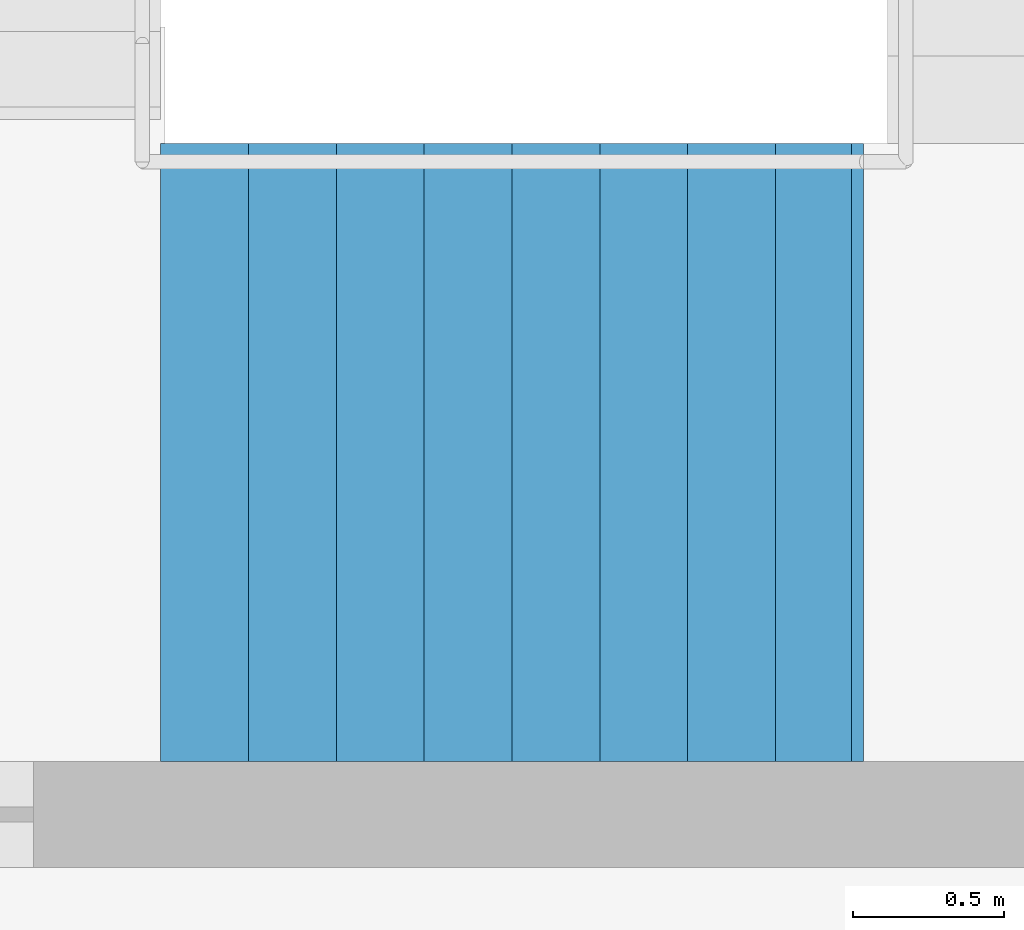
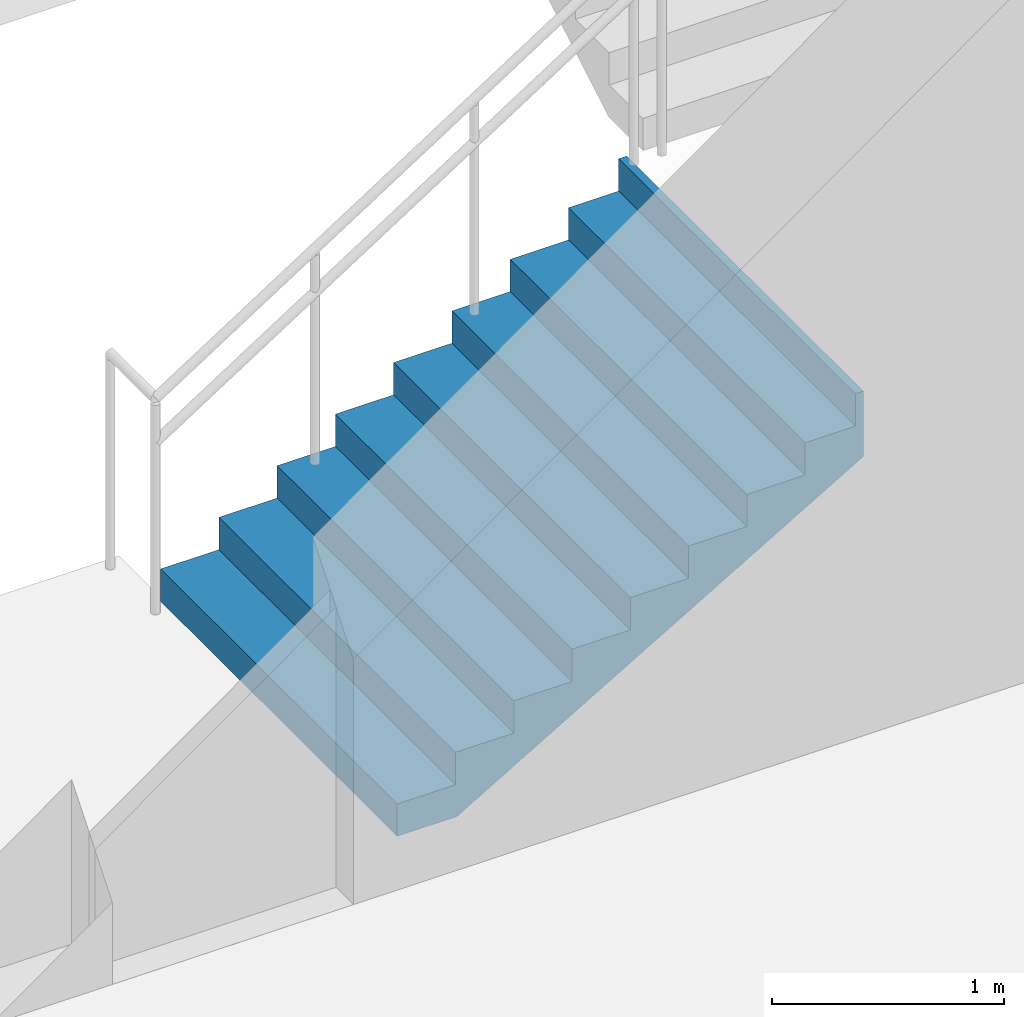
# One storey, part 32 of 46: 1 stair flight, 1 element without a shape of its own.
"""IFC4 building model written with IfcOpenShell, lengths in metres."""

from ifc_helpers import new_model, si_unit, direction, frame, origin, place, context, subcontext, project, spatial, triangles, material, type_object, element, aggregate, save


model = new_model("IFC4")

# Units and contexts
model_context = context("Model", 3, precision=1e-05, world=origin(), true_north=direction((0.0, 1.0)))
body_context = subcontext(model_context, "Body", "Model", "MODEL_VIEW")
ifc_project = project(units=[si_unit("LENGTHUNIT", "METRE"), si_unit("AREAUNIT", "SQUARE_METRE"), si_unit("VOLUMEUNIT", "CUBIC_METRE"), si_unit("PLANEANGLEUNIT", "RADIAN"), si_unit("MASSUNIT", "GRAM", prefix="KILO")], contexts=[model_context])

# Site, building, storey
site_placement = place(None, origin())
site = spatial("IfcSite", under=ifc_project, at=site_placement, CompositionType="ELEMENT")
building_placement = place(site_placement, origin())
building = spatial("IfcBuilding", under=site, at=building_placement, Name="Sillaruma Civic Art Gallery", CompositionType="ELEMENT")
storey_placement = place(building_placement, frame((0.0, 0.0, 16.320068359375)))
storey = spatial("IfcBuildingStorey", under=building, at=storey_placement, Name="L03", CompositionType="ELEMENT", Elevation=16.320068359375)

# Stair, stair flight
ifc_material = material(Name="Concrete H35 (35 MPa)", Category="concrete")
stair_type = type_object("IfcStairType", Name="STR-4F-36", PredefinedType="USERDEFINED", material=ifc_material)
stair_placement = place(storey_placement, origin())
stair = element("IfcStair", 1, at=stair_placement, inside=storey, type_object=stair_type, Name="Protected Exit Stair ST-03 (West Bar South) (L03)", ObjectType="THREE_RETURN_STAIR", PredefinedType="USERDEFINED")
stair_flight_type = type_object("IfcStairFlightType", Name="SFL-STR-9", PredefinedType="STRAIGHT", material=ifc_material)
stair_flight_placement = place(storey_placement, frame((64.800048828125, 32.429931640625, 0.0), z_axis=(0.0, 0.0, 1.0), x_axis=(1.0, 0.0, 0.0)))
stair_flight = element("IfcStairFlight", 2, at=stair_flight_placement, type_object=stair_flight_type, Name="ST-03 flight 1", NumberOfRisers=9, NumberOfTreads=8, PredefinedType="STRAIGHT", RiserHeight=0.17, TreadLength=0.29, context=body_context, shape_type="Tessellation", body=[
    triangles([(0.0, -1.02001953125, 0.0), (0.29, -1.02001953125, 0.0), (0.296482, -1.02001953125, 0.0), (0.58, -1.02001953125, 0.1662), (0.87, -1.02001953125, 0.3362), (1.16, -1.02001953125, 0.5062), (1.45, -1.02001953125, 0.6762), (1.74, -1.02001953125, 0.8462), (2.03, -1.02001953125, 1.0162), (2.280068, -1.02001953125, 1.162792), (2.320068, -1.02001953125, 1.18624), (2.320068, -1.02001953125, 1.53), (2.280068, -1.02001953125, 1.53), (2.280068, -1.02001953125, 1.36), (2.03, -1.02001953125, 1.36), (2.03, -1.02001953125, 1.19), (1.74, -1.02001953125, 1.19), (1.74, -1.02001953125, 1.02), (1.45, -1.02001953125, 1.02), (1.45, -1.02001953125, 0.85), (1.16, -1.02001953125, 0.85), (1.16, -1.02001953125, 0.68), (0.87, -1.02001953125, 0.68), (0.87, -1.02001953125, 0.51), (0.58, -1.02001953125, 0.51), (0.58, -1.02001953125, 0.34), (0.296482, -1.02001953125, 0.34), (0.29, -1.02001953125, 0.34), (0.29, -1.02001953125, 0.17), (0.0, -1.02001953125, 0.17), (0.0, -0.05, 0.0), (0.29, -0.05, 0.0), (0.296482, -0.05, 0.0), (0.58, -0.05, 0.1662), (0.87, -0.05, 0.3362), (1.16, -0.05, 0.5062), (1.45, -0.05, 0.6762), (1.74, -0.05, 0.8462), (2.03, -0.05, 1.0162), (2.280068, -0.05, 1.162792), (2.320068, -0.05, 1.18624), (2.320068, -0.05, 1.53), (2.280068, -0.05, 1.53), (2.280068, -0.05, 1.36), (2.03, -0.05, 1.36), (2.03, -0.05, 1.19), (1.74, -0.05, 1.19), (1.74, -0.05, 1.02), (1.45, -0.05, 1.02), (1.45, -0.05, 0.85), (1.16, -0.05, 0.85), (1.16, -0.05, 0.68), (0.87, -0.05, 0.68), (0.87, -0.05, 0.51), (0.58, -0.05, 0.51), (0.58, -0.05, 0.34), (0.296482, -0.05, 0.34), (0.29, -0.05, 0.34), (0.29, -0.05, 0.17), (0.0, -0.05, 0.17), (0.0, -0.0375, 0.0), (0.29, -0.0375, 0.0), (0.296482, -0.0375, 0.0), (0.58, -0.0375, 0.1662), (0.87, -0.0375, 0.3362), (1.16, -0.0375, 0.5062), (1.45, -0.0375, 0.6762), (1.74, -0.0375, 0.8462), (2.03, -0.0375, 1.0162), (2.280068, -0.0375, 1.162792), (2.320068, -0.0375, 1.18624), (2.320068, -0.0375, 1.53), (2.280068, -0.0375, 1.53), (2.280068, -0.0375, 1.36), (2.03, -0.0375, 1.36), (2.03, -0.0375, 1.19), (1.74, -0.0375, 1.19), (1.74, -0.0375, 1.02), (1.45, -0.0375, 1.02), (1.45, -0.0375, 0.85), (1.16, -0.0375, 0.85), (1.16, -0.0375, 0.68), (0.87, -0.0375, 0.68), (0.87, -0.0375, 0.51), (0.58, -0.0375, 0.51), (0.58, -0.0375, 0.34), (0.296482, -0.0375, 0.34), (0.29, -0.0375, 0.34), (0.29, -0.0375, 0.17), (0.0, -0.0375, 0.17), (0.0, -0.025, 0.0), (0.29, -0.025, 0.0), (0.296482, -0.025, 0.0), (0.58, -0.025, 0.1662), (0.87, -0.025, 0.3362), (1.16, -0.025, 0.5062), (1.45, -0.025, 0.6762), (1.74, -0.025, 0.8462), (2.03, -0.025, 1.0162), (2.280068, -0.025, 1.162792), (2.320068, -0.025, 1.18624), (2.320068, -0.025, 1.53), (2.280068, -0.025, 1.53), (2.280068, -0.025, 1.36), (2.03, -0.025, 1.36), (2.03, -0.025, 1.19), (1.74, -0.025, 1.19), (1.74, -0.025, 1.02), (1.45, -0.025, 1.02), (1.45, -0.025, 0.85), (1.16, -0.025, 0.85), (1.16, -0.025, 0.68), (0.87, -0.025, 0.68), (0.87, -0.025, 0.51), (0.58, -0.025, 0.51), (0.58, -0.025, 0.34), (0.296482, -0.025, 0.34), (0.29, -0.025, 0.34), (0.29, -0.025, 0.17), (0.0, -0.025, 0.17), (0.0, -0.0125, 0.0), (0.29, -0.0125, 0.0), (0.296482, -0.0125, 0.0), (0.58, -0.0125, 0.1662), (0.87, -0.0125, 0.3362), (1.16, -0.0125, 0.5062), (1.45, -0.0125, 0.6762), (1.74, -0.0125, 0.8462), (2.03, -0.0125, 1.0162), (2.280068, -0.0125, 1.162792), (2.320068, -0.0125, 1.18624), (2.320068, -0.0125, 1.53), (2.280068, -0.0125, 1.53), (2.280068, -0.0125, 1.36), (2.03, -0.0125, 1.36), (2.03, -0.0125, 1.19), (1.74, -0.0125, 1.19), (1.74, -0.0125, 1.02), (1.45, -0.0125, 1.02), (1.45, -0.0125, 0.85), (1.16, -0.0125, 0.85), (1.16, -0.0125, 0.68), (0.87, -0.0125, 0.68), (0.87, -0.0125, 0.51), (0.58, -0.0125, 0.51), (0.58, -0.0125, 0.34), (0.296482, -0.0125, 0.34), (0.29, -0.0125, 0.34), (0.29, -0.0125, 0.17), (0.0, -0.0125, 0.17), (0.0, 0.0, 0.0), (0.29, 0.0, 0.0), (0.296482, 0.0, 0.0), (0.58, 0.0, 0.1662), (0.87, 0.0, 0.3362), (1.16, 0.0, 0.5062), (1.45, 0.0, 0.6762), (1.74, 0.0, 0.8462), (2.03, 0.0, 1.0162), (2.280068, 0.0, 1.162792), (2.320068, 0.0, 1.18624), (2.320068, 0.0, 1.53), (2.280068, 0.0, 1.53), (2.280068, 0.0, 1.36), (2.03, 0.0, 1.36), (2.03, 0.0, 1.19), (1.74, 0.0, 1.19), (1.74, 0.0, 1.02), (1.45, 0.0, 1.02), (1.45, 0.0, 0.85), (1.16, 0.0, 0.85), (1.16, 0.0, 0.68), (0.87, 0.0, 0.68), (0.87, 0.0, 0.51), (0.58, 0.0, 0.51), (0.58, 0.0, 0.34), (0.296482, 0.0, 0.34), (0.29, 0.0, 0.34), (0.29, 0.0, 0.17), (0.0, 0.0, 0.17), (0.0, 0.0125, 0.0), (0.29, 0.0125, 0.0), (0.296482, 0.0125, 0.0), (0.58, 0.0125, 0.1662), (0.87, 0.0125, 0.3362), (1.16, 0.0125, 0.5062), (1.45, 0.0125, 0.6762), (1.74, 0.0125, 0.8462), (2.03, 0.0125, 1.0162), (2.280068, 0.0125, 1.162792), (2.320068, 0.0125, 1.18624), (2.320068, 0.0125, 1.53), (2.280068, 0.0125, 1.53), (2.280068, 0.0125, 1.36), (2.03, 0.0125, 1.36), (2.03, 0.0125, 1.19), (1.74, 0.0125, 1.19), (1.74, 0.0125, 1.02), (1.45, 0.0125, 1.02), (1.45, 0.0125, 0.85), (1.16, 0.0125, 0.85), (1.16, 0.0125, 0.68), (0.87, 0.0125, 0.68), (0.87, 0.0125, 0.51), (0.58, 0.0125, 0.51), (0.58, 0.0125, 0.34), (0.296482, 0.0125, 0.34), (0.29, 0.0125, 0.34), (0.29, 0.0125, 0.17), (0.0, 0.0125, 0.17), (0.0, 0.025, 0.0), (0.29, 0.025, 0.0), (0.296482, 0.025, 0.0), (0.58, 0.025, 0.1662), (0.87, 0.025, 0.3362), (1.16, 0.025, 0.5062), (1.45, 0.025, 0.6762), (1.74, 0.025, 0.8462), (2.03, 0.025, 1.0162), (2.280068, 0.025, 1.162792), (2.320068, 0.025, 1.18624), (2.320068, 0.025, 1.53), (2.280068, 0.025, 1.53), (2.280068, 0.025, 1.36), (2.03, 0.025, 1.36), (2.03, 0.025, 1.19), (1.74, 0.025, 1.19), (1.74, 0.025, 1.02), (1.45, 0.025, 1.02), (1.45, 0.025, 0.85), (1.16, 0.025, 0.85), (1.16, 0.025, 0.68), (0.87, 0.025, 0.68), (0.87, 0.025, 0.51), (0.58, 0.025, 0.51), (0.58, 0.025, 0.34), (0.296482, 0.025, 0.34), (0.29, 0.025, 0.34), (0.29, 0.025, 0.17), (0.0, 0.025, 0.17), (0.0, 0.0375, 0.0), (0.29, 0.0375, 0.0), (0.296482, 0.0375, 0.0), (0.58, 0.0375, 0.1662), (0.87, 0.0375, 0.3362), (1.16, 0.0375, 0.5062), (1.45, 0.0375, 0.6762), (1.74, 0.0375, 0.8462), (2.03, 0.0375, 1.0162), (2.280068, 0.0375, 1.162792), (2.320068, 0.0375, 1.18624), (2.320068, 0.0375, 1.53), (2.280068, 0.0375, 1.53), (2.280068, 0.0375, 1.36), (2.03, 0.0375, 1.36), (2.03, 0.0375, 1.19), (1.74, 0.0375, 1.19), (1.74, 0.0375, 1.02), (1.45, 0.0375, 1.02), (1.45, 0.0375, 0.85), (1.16, 0.0375, 0.85), (1.16, 0.0375, 0.68), (0.87, 0.0375, 0.68), (0.87, 0.0375, 0.51), (0.58, 0.0375, 0.51), (0.58, 0.0375, 0.34), (0.296482, 0.0375, 0.34), (0.29, 0.0375, 0.34), (0.29, 0.0375, 0.17), (0.0, 0.0375, 0.17), (0.0, 0.05, 0.0), (0.29, 0.05, 0.0), (0.296482, 0.05, 0.0), (0.58, 0.05, 0.1662), (0.87, 0.05, 0.3362), (1.16, 0.05, 0.5062), (1.45, 0.05, 0.6762), (1.74, 0.05, 0.8462), (2.03, 0.05, 1.0162), (2.280068, 0.05, 1.162792), (2.320068, 0.05, 1.18624), (2.320068, 0.05, 1.53), (2.280068, 0.05, 1.53), (2.280068, 0.05, 1.36), (2.03, 0.05, 1.36), (2.03, 0.05, 1.19), (1.74, 0.05, 1.19), (1.74, 0.05, 1.02), (1.45, 0.05, 1.02), (1.45, 0.05, 0.85), (1.16, 0.05, 0.85), (1.16, 0.05, 0.68), (0.87, 0.05, 0.68), (0.87, 0.05, 0.51), (0.58, 0.05, 0.51), (0.58, 0.05, 0.34), (0.296482, 0.05, 0.34), (0.29, 0.05, 0.34), (0.29, 0.05, 0.17), (0.0, 0.05, 0.17), (0.0, 1.02001953125, 0.0), (0.29, 1.02001953125, 0.0), (0.296482, 1.02001953125, 0.0), (0.58, 1.02001953125, 0.1662), (0.87, 1.02001953125, 0.3362), (1.16, 1.02001953125, 0.5062), (1.45, 1.02001953125, 0.6762), (1.74, 1.02001953125, 0.8462), (2.03, 1.02001953125, 1.0162), (2.280068, 1.02001953125, 1.162792), (2.320068, 1.02001953125, 1.18624), (2.320068, 1.02001953125, 1.53), (2.280068, 1.02001953125, 1.53), (2.280068, 1.02001953125, 1.36), (2.03, 1.02001953125, 1.36), (2.03, 1.02001953125, 1.19), (1.74, 1.02001953125, 1.19), (1.74, 1.02001953125, 1.02), (1.45, 1.02001953125, 1.02), (1.45, 1.02001953125, 0.85), (1.16, 1.02001953125, 0.85), (1.16, 1.02001953125, 0.68), (0.87, 1.02001953125, 0.68), (0.87, 1.02001953125, 0.51), (0.58, 1.02001953125, 0.51), (0.58, 1.02001953125, 0.34), (0.296482, 1.02001953125, 0.34), (0.29, 1.02001953125, 0.34), (0.29, 1.02001953125, 0.17), (0.0, 1.02001953125, 0.17)], [[1, 2, 29], [1, 29, 30], [2, 3, 27], [2, 27, 29], [29, 27, 28], [3, 4, 26], [3, 26, 27], [4, 5, 24], [4, 24, 26], [26, 24, 25], [5, 6, 22], [5, 22, 24], [24, 22, 23], [6, 7, 20], [6, 20, 22], [22, 20, 21], [7, 8, 18], [7, 18, 20], [20, 18, 19], [8, 9, 16], [8, 16, 18], [18, 16, 17], [9, 10, 14], [9, 14, 16], [16, 14, 15], [10, 11, 12], [10, 12, 14], [14, 12, 13], [329, 302, 301], [330, 329, 301], [327, 303, 302], [329, 327, 302], [328, 327, 329], [326, 304, 303], [327, 326, 303], [324, 305, 304], [326, 324, 304], [325, 324, 326], [322, 306, 305], [324, 322, 305], [323, 322, 324], [320, 307, 306], [322, 320, 306], [321, 320, 322], [318, 308, 307], [320, 318, 307], [319, 318, 320], [316, 309, 308], [318, 316, 308], [317, 316, 318], [314, 310, 309], [316, 314, 309], [315, 314, 316], [312, 311, 310], [314, 312, 310], [313, 312, 314], [2, 1, 31], [2, 31, 32], [3, 2, 32], [3, 32, 33], [4, 3, 33], [4, 33, 34], [5, 4, 34], [5, 34, 35], [6, 5, 35], [6, 35, 36], [7, 6, 36], [7, 36, 37], [8, 7, 37], [8, 37, 38], [9, 8, 38], [9, 38, 39], [10, 9, 39], [10, 39, 40], [11, 10, 40], [11, 40, 41], [12, 11, 41], [12, 41, 42], [13, 12, 42], [13, 42, 43], [14, 13, 43], [14, 43, 44], [15, 14, 44], [15, 44, 45], [16, 15, 45], [16, 45, 46], [17, 16, 46], [17, 46, 47], [18, 17, 47], [18, 47, 48], [19, 18, 48], [19, 48, 49], [20, 19, 49], [20, 49, 50], [21, 20, 50], [21, 50, 51], [22, 21, 51], [22, 51, 52], [23, 22, 52], [23, 52, 53], [24, 23, 53], [24, 53, 54], [25, 24, 54], [25, 54, 55], [26, 25, 55], [26, 55, 56], [27, 26, 56], [27, 56, 57], [28, 27, 57], [28, 57, 58], [29, 28, 58], [29, 58, 59], [30, 29, 59], [30, 59, 60], [1, 30, 60], [1, 60, 31], [32, 31, 61], [32, 61, 62], [33, 32, 62], [33, 62, 63], [34, 33, 63], [34, 63, 64], [35, 34, 64], [35, 64, 65], [36, 35, 65], [36, 65, 66], [37, 36, 66], [37, 66, 67], [38, 37, 67], [38, 67, 68], [39, 38, 68], [39, 68, 69], [40, 39, 69], [40, 69, 70], [41, 40, 70], [41, 70, 71], [42, 41, 71], [42, 71, 72], [43, 42, 72], [43, 72, 73], [44, 43, 73], [44, 73, 74], [45, 44, 74], [45, 74, 75], [46, 45, 75], [46, 75, 76], [47, 46, 76], [47, 76, 77], [48, 47, 77], [48, 77, 78], [49, 48, 78], [49, 78, 79], [50, 49, 79], [50, 79, 80], [51, 50, 80], [51, 80, 81], [52, 51, 81], [52, 81, 82], [53, 52, 82], [53, 82, 83], [54, 53, 83], [54, 83, 84], [55, 54, 84], [55, 84, 85], [56, 55, 85], [56, 85, 86], [57, 56, 86], [57, 86, 87], [58, 57, 87], [58, 87, 88], [59, 58, 88], [59, 88, 89], [60, 59, 89], [60, 89, 90], [31, 60, 90], [31, 90, 61], [62, 61, 91], [62, 91, 92], [63, 62, 92], [63, 92, 93], [64, 63, 93], [64, 93, 94], [65, 64, 94], [65, 94, 95], [66, 65, 95], [66, 95, 96], [67, 66, 96], [67, 96, 97], [68, 67, 97], [68, 97, 98], [69, 68, 98], [69, 98, 99], [70, 69, 99], [70, 99, 100], [71, 70, 100], [71, 100, 101], [72, 71, 101], [72, 101, 102], [73, 72, 102], [73, 102, 103], [74, 73, 103], [74, 103, 104], [75, 74, 104], [75, 104, 105], [76, 75, 105], [76, 105, 106], [77, 76, 106], [77, 106, 107], [78, 77, 107], [78, 107, 108], [79, 78, 108], [79, 108, 109], [80, 79, 109], [80, 109, 110], [81, 80, 110], [81, 110, 111], [82, 81, 111], [82, 111, 112], [83, 82, 112], [83, 112, 113], [84, 83, 113], [84, 113, 114], [85, 84, 114], [85, 114, 115], [86, 85, 115], [86, 115, 116], [87, 86, 116], [87, 116, 117], [88, 87, 117], [88, 117, 118], [89, 88, 118], [89, 118, 119], [90, 89, 119], [90, 119, 120], [61, 90, 120], [61, 120, 91], [92, 91, 121], [92, 121, 122], [93, 92, 122], [93, 122, 123], [94, 93, 123], [94, 123, 124], [95, 94, 124], [95, 124, 125], [96, 95, 125], [96, 125, 126], [97, 96, 126], [97, 126, 127], [98, 97, 127], [98, 127, 128], [99, 98, 128], [99, 128, 129], [100, 99, 129], [100, 129, 130], [101, 100, 130], [101, 130, 131], [102, 101, 131], [102, 131, 132], [103, 102, 132], [103, 132, 133], [104, 103, 133], [104, 133, 134], [105, 104, 134], [105, 134, 135], [106, 105, 135], [106, 135, 136], [107, 106, 136], [107, 136, 137], [108, 107, 137], [108, 137, 138], [109, 108, 138], [109, 138, 139], [110, 109, 139], [110, 139, 140], [111, 110, 140], [111, 140, 141], [112, 111, 141], [112, 141, 142], [113, 112, 142], [113, 142, 143], [114, 113, 143], [114, 143, 144], [115, 114, 144], [115, 144, 145], [116, 115, 145], [116, 145, 146], [117, 116, 146], [117, 146, 147], [118, 117, 147], [118, 147, 148], [119, 118, 148], [119, 148, 149], [120, 119, 149], [120, 149, 150], [91, 120, 150], [91, 150, 121], [122, 121, 151], [122, 151, 152], [123, 122, 152], [123, 152, 153], [124, 123, 153], [124, 153, 154], [125, 124, 154], [125, 154, 155], [126, 125, 155], [126, 155, 156], [127, 126, 156], [127, 156, 157], [128, 127, 157], [128, 157, 158], [129, 128, 158], [129, 158, 159], [130, 129, 159], [130, 159, 160], [131, 130, 160], [131, 160, 161], [132, 131, 161], [132, 161, 162], [133, 132, 162], [133, 162, 163], [134, 133, 163], [134, 163, 164], [135, 134, 164], [135, 164, 165], [136, 135, 165], [136, 165, 166], [137, 136, 166], [137, 166, 167], [138, 137, 167], [138, 167, 168], [139, 138, 168], [139, 168, 169], [140, 139, 169], [140, 169, 170], [141, 140, 170], [141, 170, 171], [142, 141, 171], [142, 171, 172], [143, 142, 172], [143, 172, 173], [144, 143, 173], [144, 173, 174], [145, 144, 174], [145, 174, 175], [146, 145, 175], [146, 175, 176], [147, 146, 176], [147, 176, 177], [148, 147, 177], [148, 177, 178], [149, 148, 178], [149, 178, 179], [150, 149, 179], [150, 179, 180], [121, 150, 180], [121, 180, 151], [152, 151, 181], [152, 181, 182], [153, 152, 182], [153, 182, 183], [154, 153, 183], [154, 183, 184], [155, 154, 184], [155, 184, 185], [156, 155, 185], [156, 185, 186], [157, 156, 186], [157, 186, 187], [158, 157, 187], [158, 187, 188], [159, 158, 188], [159, 188, 189], [160, 159, 189], [160, 189, 190], [161, 160, 190], [161, 190, 191], [162, 161, 191], [162, 191, 192], [163, 162, 192], [163, 192, 193], [164, 163, 193], [164, 193, 194], [165, 164, 194], [165, 194, 195], [166, 165, 195], [166, 195, 196], [167, 166, 196], [167, 196, 197], [168, 167, 197], [168, 197, 198], [169, 168, 198], [169, 198, 199], [170, 169, 199], [170, 199, 200], [171, 170, 200], [171, 200, 201], [172, 171, 201], [172, 201, 202], [173, 172, 202], [173, 202, 203], [174, 173, 203], [174, 203, 204], [175, 174, 204], [175, 204, 205], [176, 175, 205], [176, 205, 206], [177, 176, 206], [177, 206, 207], [178, 177, 207], [178, 207, 208], [179, 178, 208], [179, 208, 209], [180, 179, 209], [180, 209, 210], [151, 180, 210], [151, 210, 181], [182, 181, 211], [182, 211, 212], [183, 182, 212], [183, 212, 213], [184, 183, 213], [184, 213, 214], [185, 184, 214], [185, 214, 215], [186, 185, 215], [186, 215, 216], [187, 186, 216], [187, 216, 217], [188, 187, 217], [188, 217, 218], [189, 188, 218], [189, 218, 219], [190, 189, 219], [190, 219, 220], [191, 190, 220], [191, 220, 221], [192, 191, 221], [192, 221, 222], [193, 192, 222], [193, 222, 223], [194, 193, 223], [194, 223, 224], [195, 194, 224], [195, 224, 225], [196, 195, 225], [196, 225, 226], [197, 196, 226], [197, 226, 227], [198, 197, 227], [198, 227, 228], [199, 198, 228], [199, 228, 229], [200, 199, 229], [200, 229, 230], [201, 200, 230], [201, 230, 231], [202, 201, 231], [202, 231, 232], [203, 202, 232], [203, 232, 233], [204, 203, 233], [204, 233, 234], [205, 204, 234], [205, 234, 235], [206, 205, 235], [206, 235, 236], [207, 206, 236], [207, 236, 237], [208, 207, 237], [208, 237, 238], [209, 208, 238], [209, 238, 239], [210, 209, 239], [210, 239, 240], [181, 210, 240], [181, 240, 211], [212, 211, 241], [212, 241, 242], [213, 212, 242], [213, 242, 243], [214, 213, 243], [214, 243, 244], [215, 214, 244], [215, 244, 245], [216, 215, 245], [216, 245, 246], [217, 216, 246], [217, 246, 247], [218, 217, 247], [218, 247, 248], [219, 218, 248], [219, 248, 249], [220, 219, 249], [220, 249, 250], [221, 220, 250], [221, 250, 251], [222, 221, 251], [222, 251, 252], [223, 222, 252], [223, 252, 253], [224, 223, 253], [224, 253, 254], [225, 224, 254], [225, 254, 255], [226, 225, 255], [226, 255, 256], [227, 226, 256], [227, 256, 257], [228, 227, 257], [228, 257, 258], [229, 228, 258], [229, 258, 259], [230, 229, 259], [230, 259, 260], [231, 230, 260], [231, 260, 261], [232, 231, 261], [232, 261, 262], [233, 232, 262], [233, 262, 263], [234, 233, 263], [234, 263, 264], [235, 234, 264], [235, 264, 265], [236, 235, 265], [236, 265, 266], [237, 236, 266], [237, 266, 267], [238, 237, 267], [238, 267, 268], [239, 238, 268], [239, 268, 269], [240, 239, 269], [240, 269, 270], [211, 240, 270], [211, 270, 241], [242, 241, 271], [242, 271, 272], [243, 242, 272], [243, 272, 273], [244, 243, 273], [244, 273, 274], [245, 244, 274], [245, 274, 275], [246, 245, 275], [246, 275, 276], [247, 246, 276], [247, 276, 277], [248, 247, 277], [248, 277, 278], [249, 248, 278], [249, 278, 279], [250, 249, 279], [250, 279, 280], [251, 250, 280], [251, 280, 281], [252, 251, 281], [252, 281, 282], [253, 252, 282], [253, 282, 283], [254, 253, 283], [254, 283, 284], [255, 254, 284], [255, 284, 285], [256, 255, 285], [256, 285, 286], [257, 256, 286], [257, 286, 287], [258, 257, 287], [258, 287, 288], [259, 258, 288], [259, 288, 289], [260, 259, 289], [260, 289, 290], [261, 260, 290], [261, 290, 291], [262, 261, 291], [262, 291, 292], [263, 262, 292], [263, 292, 293], [264, 263, 293], [264, 293, 294], [265, 264, 294], [265, 294, 295], [266, 265, 295], [266, 295, 296], [267, 266, 296], [267, 296, 297], [268, 267, 297], [268, 297, 298], [269, 268, 298], [269, 298, 299], [270, 269, 299], [270, 299, 300], [241, 270, 300], [241, 300, 271], [272, 271, 301], [272, 301, 302], [273, 272, 302], [273, 302, 303], [274, 273, 303], [274, 303, 304], [275, 274, 304], [275, 304, 305], [276, 275, 305], [276, 305, 306], [277, 276, 306], [277, 306, 307], [278, 277, 307], [278, 307, 308], [279, 278, 308], [279, 308, 309], [280, 279, 309], [280, 309, 310], [281, 280, 310], [281, 310, 311], [282, 281, 311], [282, 311, 312], [283, 282, 312], [283, 312, 313], [284, 283, 313], [284, 313, 314], [285, 284, 314], [285, 314, 315], [286, 285, 315], [286, 315, 316], [287, 286, 316], [287, 316, 317], [288, 287, 317], [288, 317, 318], [289, 288, 318], [289, 318, 319], [290, 289, 319], [290, 319, 320], [291, 290, 320], [291, 320, 321], [292, 291, 321], [292, 321, 322], [293, 292, 322], [293, 322, 323], [294, 293, 323], [294, 323, 324], [295, 294, 324], [295, 324, 325], [296, 295, 325], [296, 325, 326], [297, 296, 326], [297, 326, 327], [298, 297, 327], [298, 327, 328], [299, 298, 328], [299, 328, 329], [300, 299, 329], [300, 329, 330], [271, 300, 330], [271, 330, 301]], closed=True),
])
aggregate(stair, [stair_flight])

save(model, "model.ifc")
